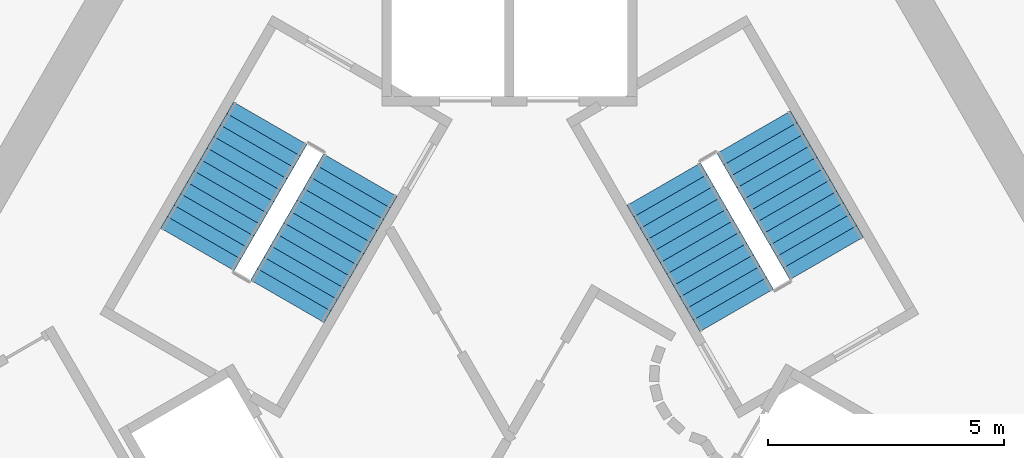
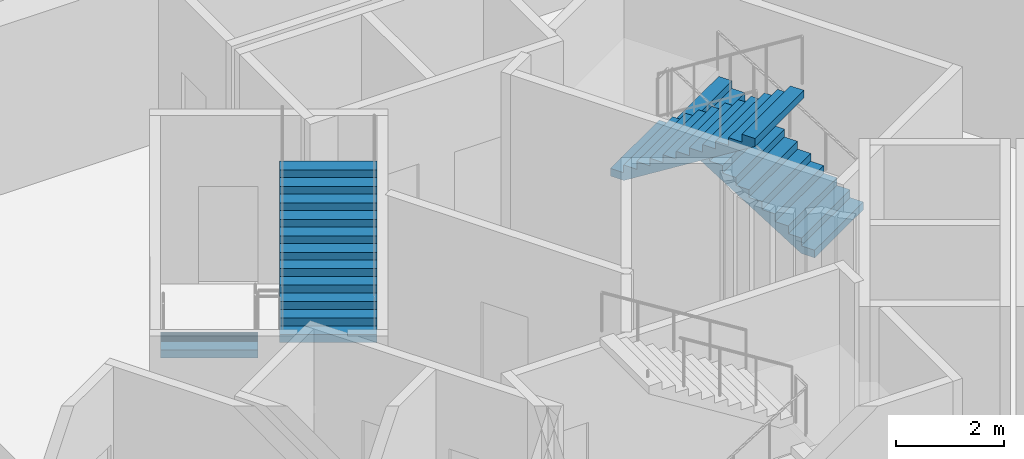
# One storey, part 10 of 13: 4 stair flights, 2 elements without a shape of their own.
"""IFC4 building model written with IfcOpenShell, lengths in metres."""

from ifc_helpers import new_model, si_unit, direction, frame, origin, place, context, subcontext, project, spatial, polyline, outline, extrude, material, type_object, element, aggregate, save


model = new_model("IFC4")

# Units and contexts
model_context = context("Model", 3, precision=1e-05, world=origin(), true_north=direction((0.0, 1.0)))
body_context = subcontext(model_context, "Body", "Model", "MODEL_VIEW")
ifc_project = project(units=[si_unit("LENGTHUNIT", "METRE"), si_unit("AREAUNIT", "SQUARE_METRE"), si_unit("VOLUMEUNIT", "CUBIC_METRE"), si_unit("PLANEANGLEUNIT", "RADIAN"), si_unit("MASSUNIT", "GRAM", prefix="KILO")], contexts=[model_context])

# Site, building, storey
site_placement = place(None, origin())
site = spatial("IfcSite", under=ifc_project, at=site_placement, CompositionType="ELEMENT")
building_placement = place(site_placement, origin())
building = spatial("IfcBuilding", under=site, at=building_placement, Name="Entoto Arch Interchange Tower", CompositionType="ELEMENT")
storey_placement = place(building_placement, frame((0.0, 0.0, 210.800048828125)))
storey = spatial("IfcBuildingStorey", under=building, at=storey_placement, Name="L47", CompositionType="ELEMENT", Elevation=210.800048828125)

# Stair, stair flights
ifc_material = material(Name="Concrete C40/50", Category="concrete")
stair_type = type_object("IfcStairType", Name="EXIT STAIR RC 1800", PredefinedType="HALF_TURN_STAIR", material=ifc_material)
stair_1_placement = place(storey_placement, origin())
stair_1 = element("IfcStair", 1, at=stair_1_placement, inside=storey, type_object=stair_type, Name="L47 Exit stair NE", PredefinedType="HALF_TURN_STAIR")
stair_flight_type = type_object("IfcStairFlightType", Name="EXIT STAIR FLIGHT RC 1800", PredefinedType="STRAIGHT", material=ifc_material)
stair_flight_1_placement = place(storey_placement, frame((6.7138671875, 4.470947265625, 0.0), z_axis=(0.0, 0.0, 1.0), x_axis=(-0.5, 0.866025403784, 0.0)))
stair_flight_1 = element("IfcStairFlight", 2, at=stair_flight_1_placement, type_object=stair_flight_type, Name="ST-NE flight 1", NumberOfRisers=12, NumberOfTreads=11, PredefinedType="STRAIGHT", RiserHeight=0.175, TreadLength=0.28, context=body_context, shape_type="SweptSolid", body=[
    extrude(outline(polyline([(-0.0029296875, 0.0), (-0.0029296875, 0.175048828125), (0.280029296875, 0.175048828125), (0.280029296875, 0.35009765625), (0.56005859375, 0.35009765625), (0.56005859375, 0.52490234375), (0.840087890625, 0.52490234375), (0.840087890625, 0.699951171875), (1.1201171875, 0.699951171875), (1.1201171875, 0.875), (1.39990234375, 0.875), (1.39990234375, 1.050048828125), (1.679931640625, 1.050048828125), (1.679931640625, 1.22509765625), (1.9599609375, 1.22509765625), (1.9599609375, 1.39990234375), (2.239990234375, 1.39990234375), (2.239990234375, 1.574951171875), (2.52001953125, 1.574951171875), (2.52001953125, 1.75), (2.800048828125, 1.75), (2.800048828125, 1.925048828125), (3.080078125, 1.925048828125), (3.0830078125, 1.925048828125), (3.0830078125, 1.75), (0.28271484375, 0.0), (-0.0029296875, 0.0)])), frame((0.0, 0.89990234375, 0.0), z_axis=(0.0, -1.0, 0.0), x_axis=(1.0, 0.0, 0.0)), (0.0, 0.0, 1.0), 1.800048828125),
])
stair_flight_2_placement = place(storey_placement, frame((3.268798828125, 6.038330078125, 2.099853515625), z_axis=(0.0, 0.0, 1.0), x_axis=(0.5, -0.866025403784, 0.0)))
stair_flight_2 = element("IfcStairFlight", 3, at=stair_flight_2_placement, type_object=stair_flight_type, Name="ST-NE flight 2", NumberOfRisers=12, NumberOfTreads=11, PredefinedType="STRAIGHT", RiserHeight=0.175, TreadLength=0.28, context=body_context, shape_type="SweptSolid", body=[
    extrude(outline(polyline([(-0.0029296875, 0.0), (-0.0029296875, 0.175048828125), (0.280029296875, 0.175048828125), (0.280029296875, 0.35009765625), (0.56005859375, 0.35009765625), (0.56005859375, 0.52490234375), (0.840087890625, 0.52490234375), (0.840087890625, 0.699951171875), (1.1201171875, 0.699951171875), (1.1201171875, 0.875), (1.39990234375, 0.875), (1.39990234375, 1.050048828125), (1.679931640625, 1.050048828125), (1.679931640625, 1.22509765625), (1.9599609375, 1.22509765625), (1.9599609375, 1.39990234375), (2.239990234375, 1.39990234375), (2.239990234375, 1.574951171875), (2.52001953125, 1.574951171875), (2.52001953125, 1.75), (2.800048828125, 1.75), (2.800048828125, 1.925048828125), (3.080078125, 1.925048828125), (3.0830078125, 1.925048828125), (3.0830078125, 1.75), (0.28271484375, 0.0), (-0.0029296875, 0.0)])), frame((0.0, 0.89990234375, 0.0), z_axis=(0.0, -1.0, 0.0), x_axis=(1.0, 0.0, 0.0)), (0.0, 0.0, 1.0), 1.800048828125),
])
aggregate(stair_1, [stair_flight_1, stair_flight_2])

stair_2_placement = place(storey_placement, origin())
stair_2 = element("IfcStair", 4, at=stair_2_placement, inside=storey, type_object=stair_type, Name="L47 Exit stair NW", PredefinedType="HALF_TURN_STAIR")
stair_flight_3_placement = place(storey_placement, frame((-5.06396484375, 7.328857421875, 0.0), z_axis=(0.0, 0.0, 1.0), x_axis=(-0.5, -0.866025403784, 0.0)))
stair_flight_3 = element("IfcStairFlight", 5, at=stair_flight_3_placement, type_object=stair_flight_type, Name="ST-NW flight 1", NumberOfRisers=12, NumberOfTreads=11, PredefinedType="STRAIGHT", RiserHeight=0.175, TreadLength=0.28, context=body_context, shape_type="SweptSolid", body=[
    extrude(outline(polyline([(-0.0029296875, 0.0), (-0.0029296875, 0.175048828125), (0.280029296875, 0.175048828125), (0.280029296875, 0.35009765625), (0.56005859375, 0.35009765625), (0.56005859375, 0.52490234375), (0.840087890625, 0.52490234375), (0.840087890625, 0.699951171875), (1.1201171875, 0.699951171875), (1.1201171875, 0.875), (1.39990234375, 0.875), (1.39990234375, 1.050048828125), (1.679931640625, 1.050048828125), (1.679931640625, 1.22509765625), (1.9599609375, 1.22509765625), (1.9599609375, 1.39990234375), (2.239990234375, 1.39990234375), (2.239990234375, 1.574951171875), (2.52001953125, 1.574951171875), (2.52001953125, 1.75), (2.800048828125, 1.75), (2.800048828125, 1.925048828125), (3.080078125, 1.925048828125), (3.0830078125, 1.925048828125), (3.0830078125, 1.75), (0.28271484375, 0.0), (-0.0029296875, 0.0)])), frame((0.0, 0.89990234375, 0.0), z_axis=(0.0, -1.0, 0.0), x_axis=(1.0, 0.0, 0.0)), (0.0, 0.0, 1.0), 1.800048828125),
])
stair_flight_4_placement = place(storey_placement, frame((-4.69873046875, 3.5615234375, 2.099853515625), z_axis=(0.0, 0.0, 1.0), x_axis=(0.5, 0.866025403784, 0.0)))
stair_flight_4 = element("IfcStairFlight", 6, at=stair_flight_4_placement, type_object=stair_flight_type, Name="ST-NW flight 2", NumberOfRisers=12, NumberOfTreads=11, PredefinedType="STRAIGHT", RiserHeight=0.175, TreadLength=0.28, context=body_context, shape_type="SweptSolid", body=[
    extrude(outline(polyline([(-0.0029296875, 0.0), (-0.0029296875, 0.175048828125), (0.280029296875, 0.175048828125), (0.280029296875, 0.35009765625), (0.56005859375, 0.35009765625), (0.56005859375, 0.52490234375), (0.840087890625, 0.52490234375), (0.840087890625, 0.699951171875), (1.1201171875, 0.699951171875), (1.1201171875, 0.875), (1.39990234375, 0.875), (1.39990234375, 1.050048828125), (1.679931640625, 1.050048828125), (1.679931640625, 1.22509765625), (1.9599609375, 1.22509765625), (1.9599609375, 1.39990234375), (2.239990234375, 1.39990234375), (2.239990234375, 1.574951171875), (2.52001953125, 1.574951171875), (2.52001953125, 1.75), (2.800048828125, 1.75), (2.800048828125, 1.925048828125), (3.080078125, 1.925048828125), (3.0830078125, 1.925048828125), (3.0830078125, 1.75), (0.28271484375, 0.0), (-0.0029296875, 0.0)])), frame((0.0, 0.89990234375, 0.0), z_axis=(0.0, -1.0, 0.0), x_axis=(1.0, 0.0, 0.0)), (0.0, 0.0, 1.0), 1.800048828125),
])
aggregate(stair_2, [stair_flight_3, stair_flight_4])

save(model, "model.ifc")
